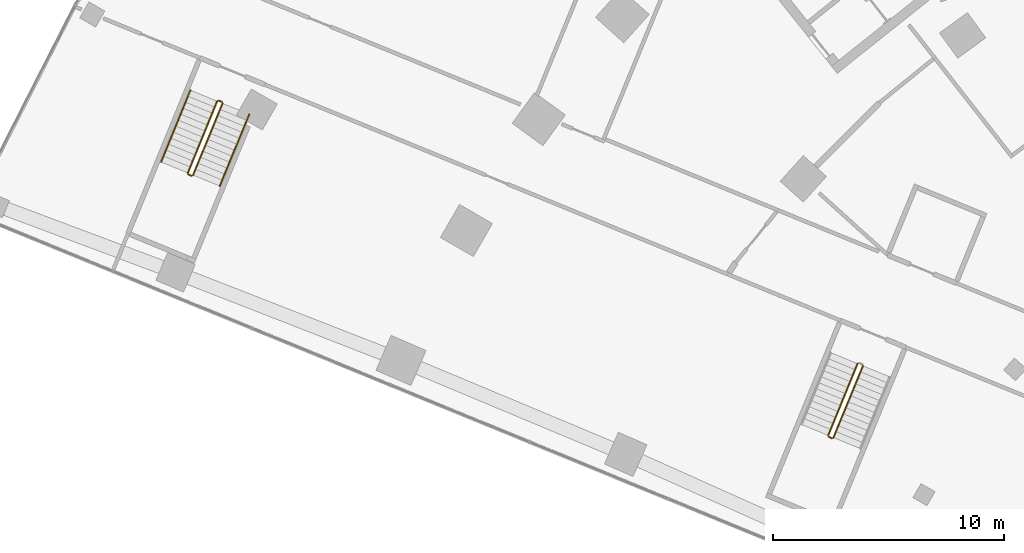
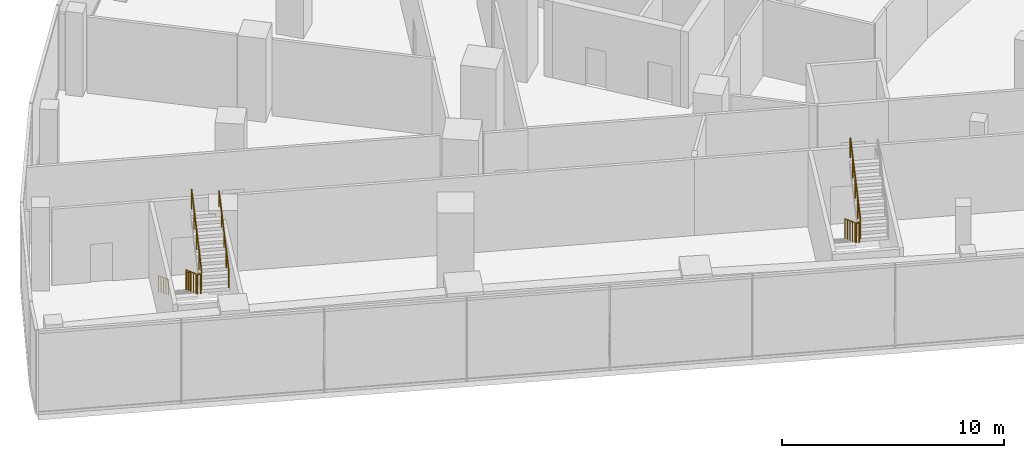
# One storey, part 33 of 40: 9 railings.
"""IFC4 building model written with IfcOpenShell, lengths in metres."""

from ifc_helpers import new_model, si_unit, direction, frame, origin, origin_2d, place, context, subcontext, project, spatial, circle, extrude, material, type_object, element, save


model = new_model("IFC4")

# Units and contexts
model_context = context("Model", 3, precision=1e-05, world=origin(), true_north=direction((0.0, 1.0)))
body_context = subcontext(model_context, "Body", "Model", "MODEL_VIEW")
ifc_project = project(units=[si_unit("LENGTHUNIT", "METRE"), si_unit("AREAUNIT", "SQUARE_METRE"), si_unit("VOLUMEUNIT", "CUBIC_METRE"), si_unit("PLANEANGLEUNIT", "RADIAN"), si_unit("MASSUNIT", "GRAM", prefix="KILO")], contexts=[model_context])

# Site, building, storey
site_placement = place(None, origin())
site = spatial("IfcSite", under=ifc_project, at=site_placement, CompositionType="ELEMENT")
building_placement = place(site_placement, origin())
building = spatial("IfcBuilding", under=site, at=building_placement, Name="Stone Belt Terrace Tower", CompositionType="ELEMENT")
storey_placement = place(building_placement, frame((0.0, 0.0, 11.60009765625)))
storey = spatial("IfcBuildingStorey", under=building, at=storey_placement, Name="L02", CompositionType="ELEMENT", Elevation=11.60009765625)

# Railings
ifc_material_1 = material(Name="Steel balustrade", Category="steel")
railing_type_1 = type_object("IfcRailingType", Name="Podium stair guard", PredefinedType="GUARDRAIL", material=ifc_material_1)
railing_1_placement = place(storey_placement, frame((-30.6767578125, 21.72705078125, 0.1767578125)))
element("IfcRailing", 1, at=railing_1_placement, inside=storey, type_object=railing_type_1, Name="L02 PS1 stair guard 1", PredefinedType="GUARDRAIL", context=body_context, shape_type="SweptSolid", body=[
    extrude(circle(Radius=0.02392578125, at=origin_2d()), frame((0.0, 0.0, 1.076171875), z_axis=(-0.320647790343, -0.782208613453, 0.534167276785), x_axis=(0.925275877227, -0.379294807533, 0.0)), (0.0, 0.0, 1.0), 3.974609375),
    extrude(circle(Radius=0.02099609375, at=origin_2d()), origin(), (0.0, 0.0, 1.0), 1.052001953125),
    extrude(circle(Radius=0.02099609375, at=origin_2d()), frame((-0.318603515625, -0.77734375, 0.53076171875)), (0.0, 0.0, 1.0), 1.052001953125),
    extrude(circle(Radius=0.02099609375, at=origin_2d()), frame((-0.63720703125, -1.554443359375, 1.0615234375)), (0.0, 0.0, 1.0), 1.052001953125),
    extrude(circle(Radius=0.02099609375, at=origin_2d()), frame((-0.955810546875, -2.33154296875, 1.59228515625)), (0.0, 0.0, 1.0), 1.052001953125),
    extrude(circle(Radius=0.02099609375, at=origin_2d()), frame((-1.2744140625, -3.10888671875, 2.123046875)), (0.0, 0.0, 1.0), 1.052001953125),
])
railing_2_placement = place(storey_placement, frame((-31.923828125, 18.552734375, 2.2998046875)))
element("IfcRailing", 2, at=railing_2_placement, inside=storey, type_object=railing_type_1, Name="L02 PS1 stair guard 2", PredefinedType="GUARDRAIL", context=body_context, shape_type="SweptSolid", body=[
    extrude(circle(Radius=0.02392578125, at=origin_2d()), frame((0.0, 0.0, 1.076171875), z_axis=(0.925417366351, -0.378949466362, 0.0), x_axis=(0.378949466362, 0.925417366351, 0.0)), (0.0, 0.0, 1.0), 0.150146484375),
    extrude(circle(Radius=0.02099609375, at=origin_2d()), origin(), (0.0, 0.0, 1.0), 1.052001953125),
    extrude(circle(Radius=0.02099609375, at=origin_2d()), frame((0.138916015625, -0.056884765625, 0.0)), (0.0, 0.0, 1.0), 1.052001953125),
])
railing_3_placement = place(storey_placement, frame((-31.7197265625, 18.523193359375, 2.476806640625)))
element("IfcRailing", 3, at=railing_3_placement, inside=storey, type_object=railing_type_1, Name="L02 PS1 stair guard 3", PredefinedType="GUARDRAIL", context=body_context, shape_type="SweptSolid", body=[
    extrude(circle(Radius=0.02392578125, at=origin_2d()), frame((0.0, 0.0, 1.076171875), z_axis=(0.320577273413, 0.782247859152, 0.534152130599), x_axis=(-0.92531182595, 0.379207100089, 0.0)), (0.0, 0.0, 1.0), 3.974609375),
    extrude(circle(Radius=0.02099609375, at=origin_2d()), origin(), (0.0, 0.0, 1.0), 1.052001953125),
    extrude(circle(Radius=0.02099609375, at=origin_2d()), frame((0.318603515625, 0.77734375, 0.53076171875)), (0.0, 0.0, 1.0), 1.052001953125),
    extrude(circle(Radius=0.02099609375, at=origin_2d()), frame((0.63720703125, 1.5546875, 1.0615234375)), (0.0, 0.0, 1.0), 1.052001953125),
    extrude(circle(Radius=0.02099609375, at=origin_2d()), frame((0.95556640625, 2.331787109375, 1.59228515625)), (0.0, 0.0, 1.0), 1.052001953125),
    extrude(circle(Radius=0.02099609375, at=origin_2d()), frame((1.274169921875, 3.109130859375, 2.123046875)), (0.0, 0.0, 1.0), 1.052001953125),
])
railing_4_placement = place(storey_placement, frame((-58.435791015625, 33.104248046875, 0.1767578125)))
element("IfcRailing", 4, at=railing_4_placement, inside=storey, type_object=railing_type_1, Name="L02 PS2 stair guard 1", PredefinedType="GUARDRAIL", context=body_context, shape_type="SweptSolid", body=[
    extrude(circle(Radius=0.02392578125, at=origin_2d()), frame((0.0, 0.0, 1.076171875), z_axis=(-0.320592677529, -0.782224019096, 0.53417779724), x_axis=(0.925301376681, -0.379232596584, 0.0)), (0.0, 0.0, 1.0), 3.974365234375),
    extrude(circle(Radius=0.02099609375, at=origin_2d()), origin(), (0.0, 0.0, 1.0), 1.052001953125),
    extrude(circle(Radius=0.02099609375, at=origin_2d()), frame((-0.318603515625, -0.77734375, 0.53076171875)), (0.0, 0.0, 1.0), 1.052001953125),
    extrude(circle(Radius=0.02099609375, at=origin_2d()), frame((-0.63720703125, -1.554443359375, 1.0615234375)), (0.0, 0.0, 1.0), 1.052001953125),
    extrude(circle(Radius=0.02099609375, at=origin_2d()), frame((-0.95556640625, -2.33154296875, 1.59228515625)), (0.0, 0.0, 1.0), 1.052001953125),
    extrude(circle(Radius=0.02099609375, at=origin_2d()), frame((-1.274169921875, -3.10888671875, 2.123046875)), (0.0, 0.0, 1.0), 1.052001953125),
])
railing_5_placement = place(storey_placement, frame((-59.6826171875, 29.93017578125, 2.2998046875)))
element("IfcRailing", 5, at=railing_5_placement, inside=storey, type_object=railing_type_1, Name="L02 PS2 stair guard 2", PredefinedType="GUARDRAIL", context=body_context, shape_type="SweptSolid", body=[
    extrude(circle(Radius=0.02392578125, at=origin_2d()), frame((0.0, 0.0, 1.076171875), z_axis=(0.925183283695, -0.379520607572, 0.0), x_axis=(0.379520607572, 0.925183283695, 0.0)), (0.0, 0.0, 1.0), 0.14990234375),
    extrude(circle(Radius=0.02099609375, at=origin_2d()), origin(), (0.0, 0.0, 1.0), 1.052001953125),
    extrude(circle(Radius=0.02099609375, at=origin_2d()), frame((0.138671875, -0.056884765625, 0.0)), (0.0, 0.0, 1.0), 1.052001953125),
])
railing_6_placement = place(storey_placement, frame((-59.478759765625, 29.900634765625, 2.476806640625)))
element("IfcRailing", 6, at=railing_6_placement, inside=storey, type_object=railing_type_1, Name="L02 PS2 stair guard 3", PredefinedType="GUARDRAIL", context=body_context, shape_type="SweptSolid", body=[
    extrude(circle(Radius=0.02392578125, at=origin_2d()), frame((0.0, 0.0, 1.076171875), z_axis=(0.320647790343, 0.782208613453, 0.534167276785), x_axis=(-0.925275877227, 0.379294807533, 0.0)), (0.0, 0.0, 1.0), 3.974609375),
    extrude(circle(Radius=0.02099609375, at=origin_2d()), origin(), (0.0, 0.0, 1.0), 1.052001953125),
    extrude(circle(Radius=0.02099609375, at=origin_2d()), frame((0.318603515625, 0.77734375, 0.53076171875)), (0.0, 0.0, 1.0), 1.052001953125),
    extrude(circle(Radius=0.02099609375, at=origin_2d()), frame((0.63720703125, 1.554443359375, 1.0615234375)), (0.0, 0.0, 1.0), 1.052001953125),
    extrude(circle(Radius=0.02099609375, at=origin_2d()), frame((0.955810546875, 2.33154296875, 1.59228515625)), (0.0, 0.0, 1.0), 1.052001953125),
    extrude(circle(Radius=0.02099609375, at=origin_2d()), frame((1.2744140625, 3.10888671875, 2.123046875)), (0.0, 0.0, 1.0), 1.052001953125),
])
railing_7_placement = place(storey_placement, frame((-58.37060546875, 33.131591796875, 0.0)))
element("IfcRailing", 7, at=railing_7_placement, inside=storey, type_object=railing_type_1, Name="L02 PS2 stair guard 4", PredefinedType="GUARDRAIL", context=body_context, shape_type="SweptSolid", body=[
    extrude(circle(Radius=0.02392578125, at=origin_2d()), frame((0.0, 0.0, 1.076171875), z_axis=(0.925417366351, -0.378949466362, 0.0), x_axis=(0.378949466362, 0.925417366351, 0.0)), (0.0, 0.0, 1.0), 0.150146484375),
    extrude(circle(Radius=0.02099609375, at=origin_2d()), origin(), (0.0, 0.0, 1.0), 1.052001953125),
    extrude(circle(Radius=0.02099609375, at=origin_2d()), frame((0.138916015625, -0.056884765625, 0.0)), (0.0, 0.0, 1.0), 1.052001953125),
])
ifc_material_2 = material(Name="Stainless steel handrail", Category="steel")
railing_type_2 = type_object("IfcRailingType", Name="Podium stair handrail", PredefinedType="HANDRAIL", material=ifc_material_2)
railing_8_placement = place(storey_placement, frame((-59.59228515625, 33.578369140625, 0.1767578125)))
element("IfcRailing", 8, at=railing_8_placement, inside=storey, type_object=railing_type_2, Name="L02 PS2 stair handrail 1", PredefinedType="HANDRAIL", context=body_context, shape_type="SweptSolid", body=[
    extrude(circle(Radius=0.02392578125, at=origin_2d()), frame((0.0, 0.0, 0.8759765625), z_axis=(-0.320647790343, -0.782208613453, 0.534167276785), x_axis=(0.925275877227, -0.379294807533, 0.0)), (0.0, 0.0, 1.0), 3.974609375),
    extrude(circle(Radius=0.02099609375, at=origin_2d()), origin(), (0.0, 0.0, 1.0), 0.851806640625),
    extrude(circle(Radius=0.02099609375, at=origin_2d()), frame((-0.318603515625, -0.77734375, 0.53076171875)), (0.0, 0.0, 1.0), 0.851806640625),
    extrude(circle(Radius=0.02099609375, at=origin_2d()), frame((-0.63720703125, -1.554443359375, 1.0615234375)), (0.0, 0.0, 1.0), 0.851806640625),
    extrude(circle(Radius=0.02099609375, at=origin_2d()), frame((-0.955810546875, -2.33154296875, 1.59228515625)), (0.0, 0.0, 1.0), 0.851806640625),
    extrude(circle(Radius=0.02099609375, at=origin_2d()), frame((-1.2744140625, -3.10888671875, 2.123046875)), (0.0, 0.0, 1.0), 0.851806640625),
])
railing_9_placement = place(storey_placement, frame((-58.322021484375, 29.426513671875, 2.476806640625)))
element("IfcRailing", 9, at=railing_9_placement, inside=storey, type_object=railing_type_2, Name="L02 PS2 stair handrail 2", PredefinedType="HANDRAIL", context=body_context, shape_type="SweptSolid", body=[
    extrude(circle(Radius=0.02392578125, at=origin_2d()), frame((0.0, 0.0, 0.8759765625), z_axis=(0.320592677529, 0.782224019096, 0.53417779724), x_axis=(-0.925301376681, 0.379232596584, 0.0)), (0.0, 0.0, 1.0), 3.974365234375),
    extrude(circle(Radius=0.02099609375, at=origin_2d()), origin(), (0.0, 0.0, 1.0), 0.851806640625),
    extrude(circle(Radius=0.02099609375, at=origin_2d()), frame((0.318603515625, 0.77734375, 0.53076171875)), (0.0, 0.0, 1.0), 0.851806640625),
    extrude(circle(Radius=0.02099609375, at=origin_2d()), frame((0.63720703125, 1.554443359375, 1.0615234375)), (0.0, 0.0, 1.0), 0.851806640625),
    extrude(circle(Radius=0.02099609375, at=origin_2d()), frame((0.95556640625, 2.33154296875, 1.59228515625)), (0.0, 0.0, 1.0), 0.851806640625),
    extrude(circle(Radius=0.02099609375, at=origin_2d()), frame((1.274169921875, 3.10888671875, 2.123046875)), (0.0, 0.0, 1.0), 0.851806640625),
])

save(model, "model.ifc")
